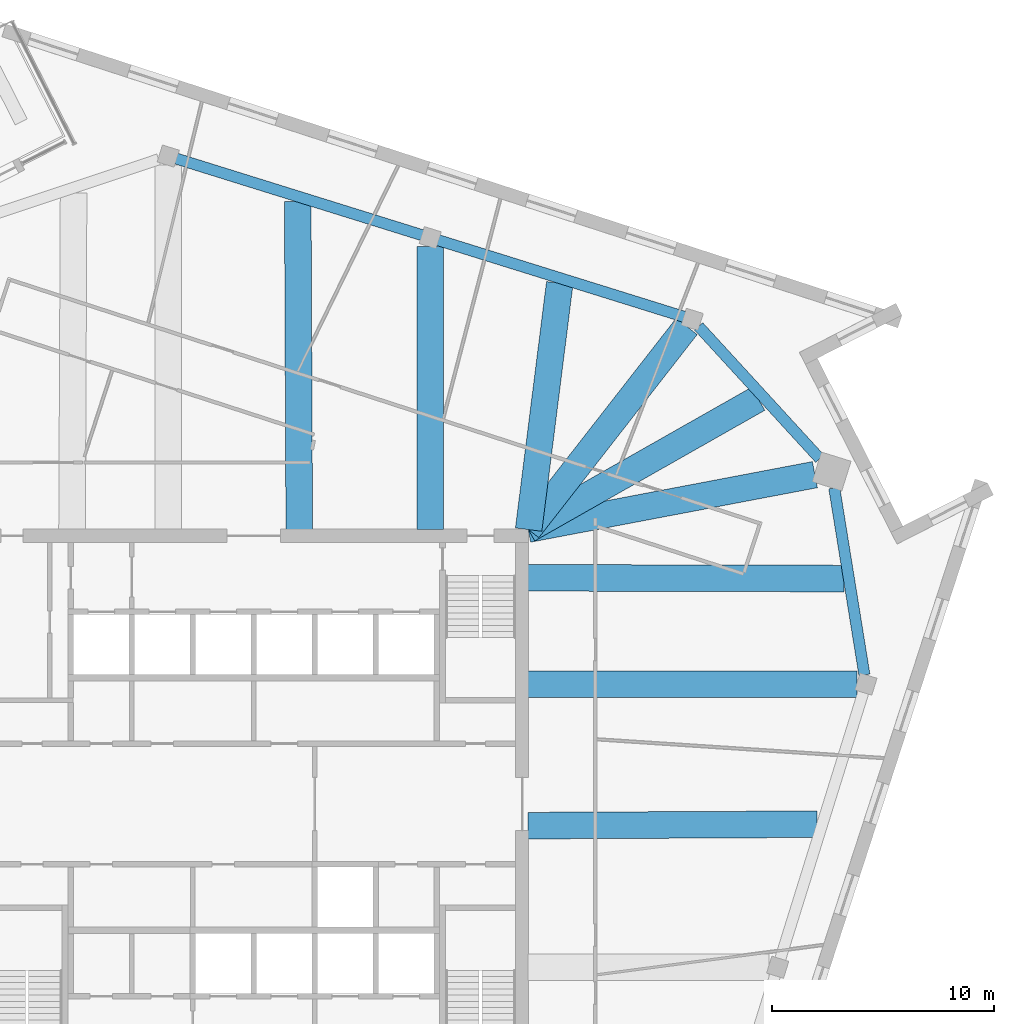
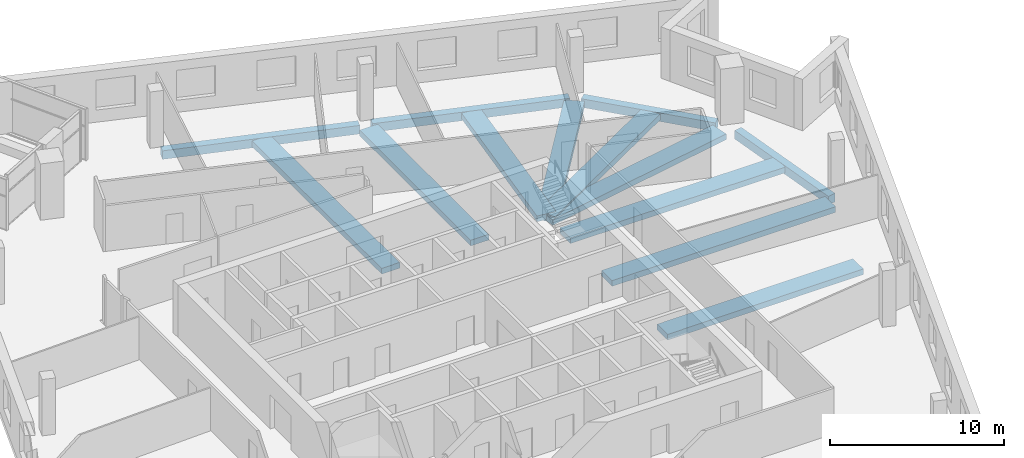
# One storey, part 3 of 13: 13 beams.
"""IFC4 building model written with IfcOpenShell, lengths in metres."""

from ifc_helpers import new_model, si_unit, direction, frame, origin, origin_2d, place, context, subcontext, project, spatial, rectangle, extrude, material, material_profile, profile_set, type_object, element, save


model = new_model("IFC4")

# Units and contexts
model_context = context("Model", 3, precision=1e-05, world=origin(), true_north=direction((0.0, 1.0)))
body_context = subcontext(model_context, "Body", "Model", "MODEL_VIEW")
ifc_project = project(units=[si_unit("LENGTHUNIT", "METRE"), si_unit("AREAUNIT", "SQUARE_METRE"), si_unit("VOLUMEUNIT", "CUBIC_METRE"), si_unit("PLANEANGLEUNIT", "RADIAN"), si_unit("MASSUNIT", "GRAM", prefix="KILO")], contexts=[model_context])

# Site, building, storey
site_placement = place(None, origin())
site = spatial("IfcSite", under=ifc_project, at=site_placement, CompositionType="ELEMENT")
building_placement = place(site_placement, origin())
building = spatial("IfcBuilding", under=site, at=building_placement, Name="Dilmun Exchange Tower", CompositionType="ELEMENT")
storey_placement = place(building_placement, frame((0.0, 0.0, 316.5)))
storey = spatial("IfcBuildingStorey", under=building, at=storey_placement, Name="L75", CompositionType="ELEMENT", Elevation=316.5)

# Beams
ifc_material = material(Name="Concrete C40/50", Category="concrete")
ifc_material_profile_1 = material_profile(ifc_material, rectangle(XDim=1.199951171875, YDim=0.39990234375, at=origin_2d()), Name="1200 x 400")
ifc_profile_set_1 = profile_set([ifc_material_profile_1], Name="Concrete C40/50")
beam_type_1 = type_object("IfcBeamType", Name="RC band beam 1200 x 400 C40/50", PredefinedType="BEAM", material=ifc_profile_set_1)
beam_1_placement = place(storey_placement, frame((27.216064453125, 5.406005859375, -0.64990234375), z_axis=(-1.0, 0.0, 0.0), x_axis=(0.0, -1.0, 0.0)))
element("IfcBeam", 1, at=beam_1_placement, inside=storey, type_object=beam_type_1, Name="Band beam 12", PredefinedType="BEAM", context=body_context, shape_type="SweptSolid", body=[
    extrude(rectangle(XDim=1.199951171875, YDim=0.39990234375, at=origin_2d()), origin(), (0.0, 0.0, 1.0), 14.843017578125),
])
beam_2_placement = place(storey_placement, frame((25.30712890625, 14.85205078125, -0.64990234375), z_axis=(-0.982429348436, -0.18663487169, 0.0), x_axis=(0.18663487169, -0.982429348436, 0.0)))
element("IfcBeam", 2, at=beam_2_placement, inside=storey, type_object=beam_type_1, Name="Band beam 13", PredefinedType="BEAM", context=body_context, shape_type="SweptSolid", body=[
    extrude(rectangle(XDim=1.199951171875, YDim=0.39990234375, at=origin_2d()), origin(), (0.0, 0.0, 1.0), 13.164794921875),
])
beam_3_placement = place(storey_placement, frame((19.52685546875, 21.541259765625, -0.64990234375), z_axis=(-0.614856714099, -0.788638840743, 0.0), x_axis=(0.788638840743, -0.614856714099, 0.0)))
element("IfcBeam", 3, at=beam_3_placement, inside=storey, type_object=beam_type_1, Name="Band beam 14", PredefinedType="BEAM", context=body_context, shape_type="SweptSolid", body=[
    extrude(rectangle(XDim=1.199951171875, YDim=0.39990234375, at=origin_2d()), origin(), (0.0, 0.0, 1.0), 11.6181640625),
])
beam_4_placement = place(storey_placement, frame((7.9580078125, 25.14697265625, -0.64990234375), z_axis=(0.0, -1.0, 0.0), x_axis=(1.0, 0.0, 0.0)))
element("IfcBeam", 4, at=beam_4_placement, inside=storey, type_object=beam_type_1, Name="Band beam 15", PredefinedType="BEAM", context=body_context, shape_type="SweptSolid", body=[
    extrude(rectangle(XDim=1.199951171875, YDim=0.39990234375, at=origin_2d()), origin(), (0.0, 0.0, 1.0), 12.77392578125),
])
beam_5_placement = place(storey_placement, frame((25.405517578125, -0.912109375, -0.550048828125), z_axis=(-0.999987018468, -0.005095379798, 0.0), x_axis=(0.005095379798, -0.999987018468, 0.0)))
element("IfcBeam", 5, at=beam_5_placement, inside=storey, type_object=beam_type_1, Name="Band beam 27", PredefinedType="BEAM", context=body_context, shape_type="SweptSolid", body=[
    extrude(rectangle(XDim=1.199951171875, YDim=0.39990234375, at=origin_2d()), origin(), (0.0, 0.0, 1.0), 13.03271484375),
])
beam_6_placement = place(storey_placement, frame((26.614013671875, 10.1650390625, -0.550048828125), z_axis=(-0.999996910379, 0.002485806038, 0.0), x_axis=(-0.002485806038, -0.999996910379, 0.0)))
element("IfcBeam", 6, at=beam_6_placement, inside=storey, type_object=beam_type_1, Name="Band beam 28", PredefinedType="BEAM", context=body_context, shape_type="SweptSolid", body=[
    extrude(rectangle(XDim=1.199951171875, YDim=0.39990234375, at=origin_2d()), origin(), (0.0, 0.0, 1.0), 14.240966796875),
])
beam_7_placement = place(storey_placement, frame((22.752197265625, 18.275390625, -0.550048828125), z_axis=(-0.869690188955, -0.493597989496, 0.0), x_axis=(0.493597989496, -0.869690188955, 0.0)))
element("IfcBeam", 7, at=beam_7_placement, inside=storey, type_object=beam_type_1, Name="Band beam 29", PredefinedType="BEAM", context=body_context, shape_type="SweptSolid", body=[
    extrude(rectangle(XDim=1.199951171875, YDim=0.39990234375, at=origin_2d()), origin(), (0.0, 0.0, 1.0), 11.93017578125),
])
beam_8_placement = place(storey_placement, frame((13.79931640625, 23.485107421875, -0.550048828125), z_axis=(-0.125252659456, -0.992124876867, 0.0), x_axis=(0.992124876867, -0.125252659456, 0.0)))
element("IfcBeam", 8, at=beam_8_placement, inside=storey, type_object=beam_type_1, Name="Band beam 30", PredefinedType="BEAM", context=body_context, shape_type="SweptSolid", body=[
    extrude(rectangle(XDim=1.199951171875, YDim=0.39990234375, at=origin_2d()), origin(), (0.0, 0.0, 1.0), 11.199951171875),
])
beam_9_placement = place(storey_placement, frame((1.984619140625, 27.16650390625, -0.550048828125), z_axis=(0.004488848064, -0.999989925071, 0.0), x_axis=(0.999989925071, 0.004488848064, 0.0)))
element("IfcBeam", 9, at=beam_9_placement, inside=storey, type_object=beam_type_1, Name="Band beam 31", PredefinedType="BEAM", context=body_context, shape_type="SweptSolid", body=[
    extrude(rectangle(XDim=1.199951171875, YDim=0.39990234375, at=origin_2d()), origin(), (0.0, 0.0, 1.0), 14.793701171875),
])
ifc_material_profile_2 = material_profile(ifc_material, rectangle(XDim=0.5, YDim=0.60009765625, at=origin_2d()), Name="500 x 600")
ifc_profile_set_2 = profile_set([ifc_material_profile_2], Name="Concrete C40/50")
beam_type_2 = type_object("IfcBeamType", Name="RC ring beam 500 x 600 C40/50", PredefinedType="SPANDREL", material=ifc_profile_set_2)
beam_10_placement = place(storey_placement, frame((27.541015625, 5.820556640625, -0.64990234375), z_axis=(-0.159356501233, 0.987221102649, 0.0), x_axis=(-0.987221102649, -0.159356501233, 0.0)))
element("IfcBeam", 10, at=beam_10_placement, inside=storey, type_object=beam_type_2, Name="Ring beam 12", PredefinedType="SPANDREL", context=body_context, shape_type="SweptSolid", body=[
    extrude(rectangle(XDim=0.5, YDim=0.60009765625, at=origin_2d()), origin(), (0.0, 0.0, 1.0), 8.5380859375),
])
beam_11_placement = place(storey_placement, frame((25.531005859375, 15.572265625, -0.64990234375), z_axis=(-0.675535971399, 0.737327031476, 0.0), x_axis=(-0.737327031476, -0.675535971399, 0.0)))
element("IfcBeam", 11, at=beam_11_placement, inside=storey, type_object=beam_type_2, Name="Ring beam 13", PredefinedType="SPANDREL", context=body_context, shape_type="SweptSolid", body=[
    extrude(rectangle(XDim=0.5, YDim=0.60009765625, at=origin_2d()), origin(), (0.0, 0.0, 1.0), 8.087890625),
])
beam_12_placement = place(storey_placement, frame((19.4169921875, 21.968017578125, -0.64990234375), z_axis=(-0.95471613385, 0.297518241065, 0.0), x_axis=(-0.297518241065, -0.95471613385, 0.0)))
element("IfcBeam", 12, at=beam_12_placement, inside=storey, type_object=beam_type_2, Name="Ring beam 14", PredefinedType="SPANDREL", context=body_context, shape_type="SweptSolid", body=[
    extrude(rectangle(XDim=0.5, YDim=0.60009765625, at=origin_2d()), origin(), (0.0, 0.0, 1.0), 11.62939453125),
])
beam_13_placement = place(storey_placement, frame((7.601806640625, 25.64990234375, -0.64990234375), z_axis=(-0.954732553331, 0.297465546931, 0.0), x_axis=(-0.297465546931, -0.954732553331, 0.0)))
element("IfcBeam", 13, at=beam_13_placement, inside=storey, type_object=beam_type_2, Name="Ring beam 15", PredefinedType="SPANDREL", context=body_context, shape_type="SweptSolid", body=[
    extrude(rectangle(XDim=0.5, YDim=0.60009765625, at=origin_2d()), origin(), (0.0, 0.0, 1.0), 11.628173828125),
])

save(model, "model.ifc")
